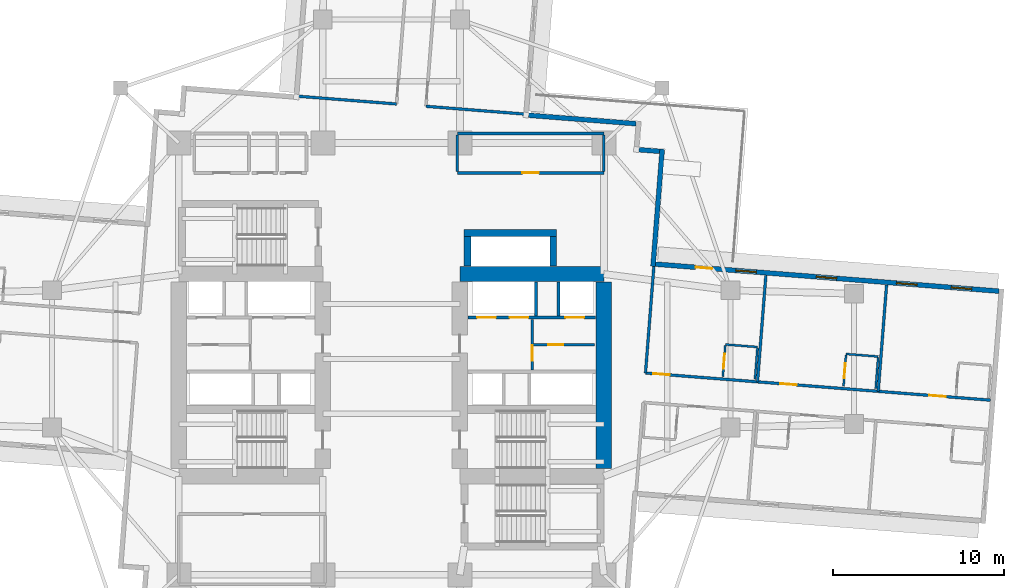
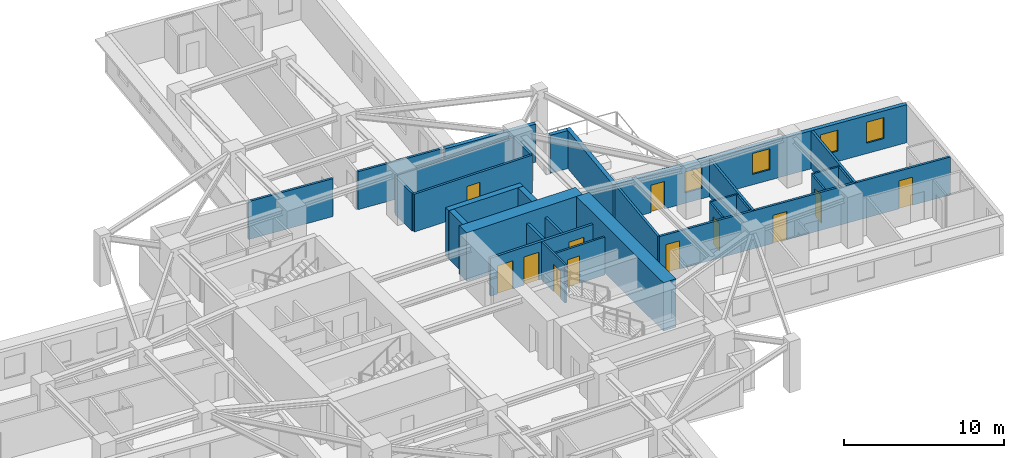
# One storey, part 7 of 14: 30 walls, 12 doors, 4 windows, 16 openings.
"""IFC4 building model written with IfcOpenShell, lengths in metres."""

from ifc_helpers import new_model, si_unit, direction, frame, frame_2d, origin, place, context, subcontext, project, spatial, rectangle, extrude, material, layer, layer_set, type_object, element, fill, save


model = new_model("IFC4")

# Units and contexts
model_context = context("Model", 3, precision=1e-05, world=origin(), true_north=direction((0.0, 1.0)))
body_context = subcontext(model_context, "Body", "Model", "MODEL_VIEW")
ifc_project = project(units=[si_unit("LENGTHUNIT", "METRE"), si_unit("AREAUNIT", "SQUARE_METRE"), si_unit("VOLUMEUNIT", "CUBIC_METRE"), si_unit("PLANEANGLEUNIT", "RADIAN"), si_unit("MASSUNIT", "GRAM", prefix="KILO")], contexts=[model_context])

# Site, building, storey
site_placement = place(None, origin())
site = spatial("IfcSite", under=ifc_project, at=site_placement, CompositionType="ELEMENT")
building_placement = place(site_placement, origin())
building = spatial("IfcBuilding", under=site, at=building_placement, Name="Qingluan Cross Belvedere", CompositionType="ELEMENT")
storey_placement = place(building_placement, frame((0.0, 0.0, 83.39990234375)))
storey = spatial("IfcBuildingStorey", under=building, at=storey_placement, Name="L21", CompositionType="ELEMENT", Elevation=83.39990234375)

# Walls
ifc_material_1 = material(Name="Concrete C50", Category="concrete")
ifc_layer_1 = layer(ifc_material_1, 0.449951171875, Name="CoreShearWall_450")
ifc_layer_set_1 = layer_set([ifc_layer_1], Name="Concrete C50")
wall_type_1 = type_object("IfcWallType", Name="CoreShearWall_450", PredefinedType="SHEAR", material=ifc_layer_set_1)
wall_1_placement = place(storey_placement, frame((4.449951171875, 5.405029296875, 0.0), z_axis=(0.0, 0.0, 1.0), x_axis=(0.0, 1.0, 0.0)))
element("IfcWall", 1, at=wall_1_placement, inside=storey, type_object=wall_type_1, Name="Express shuttle core wall L21-W", PredefinedType="SHEAR", context=body_context, shape_type="SweptSolid", body=[
    extrude(rectangle(XDim=1.73486328125, YDim=0.39990234375, at=frame_2d((0.867431640625, 0.0))), origin(), (0.0, 0.0, 1.0), 3.7001953125),
])
wall_2_placement = place(storey_placement, frame((4.25, 7.35009765625, 0.0), z_axis=(0.0, 0.0, 1.0), x_axis=(1.0, 0.0, 0.0)))
element("IfcWall", 2, at=wall_2_placement, inside=storey, type_object=wall_type_1, Name="Express shuttle core wall L21-N", PredefinedType="SHEAR", context=body_context, shape_type="SweptSolid", body=[
    extrude(rectangle(XDim=5.39990234375, YDim=0.39990234375, at=frame_2d((2.699951171875, 0.0))), origin(), (0.0, 0.0, 1.0), 3.7001953125),
])
wall_3_placement = place(storey_placement, frame((9.449951171875, 5.405029296875, 0.0), z_axis=(0.0, 0.0, 1.0), x_axis=(0.0, 1.0, 0.0)))
element("IfcWall", 3, at=wall_3_placement, inside=storey, type_object=wall_type_1, Name="Express shuttle core wall L21-E", PredefinedType="SHEAR", context=body_context, shape_type="SweptSolid", body=[
    extrude(rectangle(XDim=1.73486328125, YDim=0.39990234375, at=frame_2d((0.867431640625, 0.0))), origin(), (0.0, 0.0, 1.0), 3.7001953125),
])
ifc_material_2 = material(Name="Concrete C70", Category="concrete")
ifc_layer_2 = layer(ifc_material_2, 0.89990234375, Name="CoreShearWall_900")
ifc_layer_set_2 = layer_set([ifc_layer_2], Name="Concrete C70")
wall_type_2 = type_object("IfcWallType", Name="CoreShearWall_900", PredefinedType="SHEAR", material=ifc_layer_set_2)
wall_4_placement = place(storey_placement, frame((4.0, 4.949951171875, 0.0), z_axis=(0.0, 0.0, 1.0), x_axis=(1.0, 0.0, 0.0)))
element("IfcWall", 4, at=wall_4_placement, inside=storey, type_object=wall_type_2, Name="Split core E shear wall L21-N", PredefinedType="SHEAR", context=body_context, shape_type="SweptSolid", body=[
    extrude(rectangle(XDim=8.39990234375, YDim=0.89990234375, at=frame_2d((4.199951171875, 0.0))), origin(), (0.0, 0.0, 1.0), 3.7001953125),
])
wall_5_placement = place(storey_placement, frame((12.39990234375, -6.39501953125, 0.0), z_axis=(0.0, 0.0, 1.0), x_axis=(0.0, 1.0, 0.0)))
element("IfcWall", 5, at=wall_5_placement, inside=storey, type_object=wall_type_2, Name="Split core E shear wall L21-E", PredefinedType="SHEAR", context=body_context, shape_type="SweptSolid", body=[
    extrude(rectangle(XDim=10.89013671875, YDim=0.89990234375, at=frame_2d((5.445068359375, 0.0))), origin(), (0.0, 0.0, 1.0), 3.7001953125),
])

# Wall, opening, door
ifc_material_3 = material(Name="Gypsum plasterboard on steel stud acoustic partition", Category="steel")
ifc_layer_3 = layer(ifc_material_3, 0.159912109375, Name="CorridorPartition_160")
ifc_layer_set_3 = layer_set([ifc_layer_3], Name="Gypsum plasterboard on steel stud acoustic partition")
wall_type_3 = type_object("IfcWallType", Name="CorridorPartition_160", PredefinedType="PARTITIONING", material=ifc_layer_set_3)
wall_6_placement = place(storey_placement, frame((8.298095703125, 0.830078125, 0.0), z_axis=(0.0, 0.0, 1.0), x_axis=(1.0, 0.0, 0.0)))
wall_6 = element("IfcWall", 6, at=wall_6_placement, inside=storey, type_object=wall_type_3, Name="Partition L21:e", PredefinedType="PARTITIONING", context=body_context, shape_type="SweptSolid", body=[
    extrude(rectangle(XDim=3.552001953125, YDim=0.139892578125, at=frame_2d((1.77587890625, 0.0))), origin(), (0.0, 0.0, 1.0), 2.900146484375),
])
opening_1_placement = place(wall_6_placement, frame((0.85009765625, 0.0, 0.0)))
opening_1 = element("IfcOpeningElement", 7, at=opening_1_placement, cuts=wall_6, Name="Opening FD-B10", PredefinedType="OPENING", context=body_context, shape_type="SweptSolid", body=[
    extrude(rectangle(XDim=0.8798828125, YDim=2.10009765625, at=frame_2d((0.43994140625, 1.050048828125))), frame((0.0, 0.079833984375, 0.0), z_axis=(0.0, -1.0, 0.0), x_axis=(1.0, 0.0, 0.0)), (0.0, 0.0, 1.0), 0.159912109375),
])
ifc_material_4 = material(Name="Steel Class B service fire door", Category="steel")
door_type_1 = type_object("IfcDoorType", Name="RiserServiceFireDoor_FDB", OperationType="NOTDEFINED", PredefinedType="DOOR", material=ifc_material_4)
door_1_placement = place(opening_1_placement, origin())
door_1 = element("IfcDoor", 8, at=door_1_placement, inside=storey, type_object=door_type_1, Name="Service closet inner door L21", OperationType="SINGLE_SWING_LEFT", OverallHeight=2.10009765625, OverallWidth=0.8798828125, PredefinedType="DOOR", context=body_context, shape_type="SweptSolid", body=[
    extrude(rectangle(XDim=0.8798828125, YDim=2.10009765625, at=frame_2d((0.43994140625, 1.050048828125))), frame((0.0, 0.02490234375, 0.0), z_axis=(0.0, -1.0, 0.0), x_axis=(1.0, 0.0, 0.0)), (0.0, 0.0, 1.0), 0.050048828125),
])
fill(opening_1, door_1)

wall_7_placement = place(storey_placement, frame((3.85009765625, 10.85009765625, 0.0), z_axis=(0.0, 0.0, 1.0), x_axis=(1.0, 0.0, 0.0)))
wall_7 = element("IfcWall", 9, at=wall_7_placement, inside=storey, type_object=wall_type_3, Name="Partition L21:q_ne:S", PredefinedType="PARTITIONING", context=body_context, shape_type="SweptSolid", body=[
    extrude(rectangle(XDim=8.5498046875, YDim=0.159912109375, at=frame_2d((4.27490234375, 0.0))), origin(), (0.0, 0.0, 1.0), 2.900146484375),
])
opening_2_placement = place(wall_7_placement, frame((3.794921875, 0.0, 0.0)))
opening_2 = element("IfcOpeningElement", 10, at=opening_2_placement, cuts=wall_7, Name="Opening GD-10", PredefinedType="OPENING", context=body_context, shape_type="SweptSolid", body=[
    extrude(rectangle(XDim=0.9599609375, YDim=2.14990234375, at=frame_2d((0.47998046875, 1.074951171875))), frame((0.0, 0.08984375, 0.0), z_axis=(0.0, -1.0, 0.0), x_axis=(1.0, 0.0, 0.0)), (0.0, 0.0, 1.0), 0.179931640625),
])
ifc_material_5 = material(Name="Timber oak fire-rated acoustic guestroom door", Category="wood")
door_type_2 = type_object("IfcDoorType", Name="GuestEntryDoor_FD60", OperationType="NOTDEFINED", PredefinedType="DOOR", material=ifc_material_5)
door_2_placement = place(opening_2_placement, origin())
door_2 = element("IfcDoor", 11, at=door_2_placement, inside=storey, type_object=door_type_2, Name="Cantonese tea lounge L21 door", OperationType="SINGLE_SWING_LEFT", OverallHeight=2.14990234375, OverallWidth=0.9599609375, PredefinedType="DOOR", context=body_context, shape_type="SweptSolid", body=[
    extrude(rectangle(XDim=0.9599609375, YDim=2.14990234375, at=frame_2d((0.47998046875, 1.074951171875))), frame((0.0, 0.02490234375, 0.0), z_axis=(0.0, -1.0, 0.0), x_axis=(1.0, 0.0, 0.0)), (0.0, 0.0, 1.0), 0.050048828125),
])
fill(opening_2, door_2)

# Walls
wall_8_placement = place(storey_placement, frame((3.85009765625, 13.14990234375, 0.0), z_axis=(0.0, 0.0, 1.0), x_axis=(1.0, 0.0, 0.0)))
element("IfcWall", 12, at=wall_8_placement, inside=storey, type_object=wall_type_3, Name="Partition L21:q_ne:N", PredefinedType="PARTITIONING", context=body_context, shape_type="SweptSolid", body=[
    extrude(rectangle(XDim=8.5498046875, YDim=0.159912109375, at=frame_2d((4.27490234375, 0.0))), origin(), (0.0, 0.0, 1.0), 2.900146484375),
])
for number, where, z_axis, x_axis, name in (
    (13, (3.85009765625, 10.93505859375, 0.0), (0.0, 0.0, 1.0), (0.0, 1.0, 0.0), "Partition L21:q_ne:W"),
    (14, (12.39990234375, 10.93505859375, 0.0), (0.0, 0.0, 1.0), (0.0, 1.0, 0.0), "Partition L21:q_ne:E"),
):
    element("IfcWall", number, at=place(storey_placement, frame(where, z_axis=z_axis, x_axis=x_axis)), inside=storey, type_object=wall_type_3, Name=name, PredefinedType="PARTITIONING", context=body_context, shape_type="SweptSolid", body=[
        extrude(rectangle(XDim=2.1298828125, YDim=0.159912109375, at=frame_2d((1.06494140625, 0.0))), origin(), (0.0, 0.0, 1.0), 2.900146484375),
    ])

# Wall, openings, doors
wall_9_placement = place(storey_placement, frame((14.830810546875, -0.826171875, 0.0), z_axis=(0.0, 0.0, 1.0), x_axis=(0.996917226209, -0.078460461943, 0.0)))
wall_9 = element("IfcWall", 15, at=wall_9_placement, inside=storey, type_object=wall_type_3, Name="Partition L21:E:c0", PredefinedType="PARTITIONING", context=body_context, shape_type="SweptSolid", body=[
    extrude(rectangle(XDim=20.18212890625, YDim=0.159912109375, at=frame_2d((10.091064453125, 0.0))), origin(), (0.0, 0.0, 1.0), 2.900146484375),
])
opening_3_placement = place(wall_9_placement, frame((0.449951171875, 0.0, 0.0)))
opening_3 = element("IfcOpeningElement", 16, at=opening_3_placement, cuts=wall_9, Name="Opening GD-10", PredefinedType="OPENING", context=body_context, shape_type="SweptSolid", body=[
    extrude(rectangle(XDim=0.9599609375, YDim=2.14990234375, at=frame_2d((0.47998046875, 1.074951171875))), frame((0.0, 0.08984375, 0.0), z_axis=(0.0, -1.0, 0.0), x_axis=(1.0, 0.0, 0.0)), (0.0, 0.0, 1.0), 0.179931640625),
])
opening_4_placement = place(wall_9_placement, frame((7.89599609375, 0.0, 0.0)))
opening_4 = element("IfcOpeningElement", 17, at=opening_4_placement, cuts=wall_9, Name="Opening GD-10", PredefinedType="OPENING", context=body_context, shape_type="SweptSolid", body=[
    extrude(rectangle(XDim=0.9599609375, YDim=2.14990234375, at=frame_2d((0.47998046875, 1.074951171875))), frame((0.0, 0.08984375, 0.0), z_axis=(0.0, -1.0, 0.0), x_axis=(1.0, 0.0, 0.0)), (0.0, 0.0, 1.0), 0.179931640625),
])
opening_5_placement = place(wall_9_placement, frame((16.611083984375, 0.0, 0.0)))
opening_5 = element("IfcOpeningElement", 18, at=opening_5_placement, cuts=wall_9, Name="Opening GD-10", PredefinedType="OPENING", context=body_context, shape_type="SweptSolid", body=[
    extrude(rectangle(XDim=0.9599609375, YDim=2.14990234375, at=frame_2d((0.47998046875, 1.074951171875))), frame((0.0, 0.08984375, 0.0), z_axis=(0.0, -1.0, 0.0), x_axis=(1.0, 0.0, 0.0)), (0.0, 0.0, 1.0), 0.179931640625),
])
door_3_placement = place(opening_3_placement, origin())
door_3 = element("IfcDoor", 19, at=door_3_placement, inside=storey, type_object=door_type_2, Name="Guest entry fire door 2101", OperationType="SINGLE_SWING_LEFT", OverallHeight=2.14990234375, OverallWidth=0.9599609375, PredefinedType="DOOR", context=body_context, shape_type="SweptSolid", body=[
    extrude(rectangle(XDim=0.9599609375, YDim=2.14990234375, at=frame_2d((0.47998046875, 1.074951171875))), frame((0.0, 0.02490234375, 0.0), z_axis=(0.0, -1.0, 0.0), x_axis=(1.0, 0.0, 0.0)), (0.0, 0.0, 1.0), 0.050048828125),
])
fill(opening_3, door_3)
door_4_placement = place(opening_4_placement, origin())
door_4 = element("IfcDoor", 20, at=door_4_placement, inside=storey, type_object=door_type_2, Name="Guest entry fire door 2102", OperationType="SINGLE_SWING_LEFT", OverallHeight=2.14990234375, OverallWidth=0.9599609375, PredefinedType="DOOR", context=body_context, shape_type="SweptSolid", body=[
    extrude(rectangle(XDim=0.9599609375, YDim=2.14990234375, at=frame_2d((0.47998046875, 1.074951171875))), frame((0.0, 0.02490234375, 0.0), z_axis=(0.0, -1.0, 0.0), x_axis=(1.0, 0.0, 0.0)), (0.0, 0.0, 1.0), 0.050048828125),
])
fill(opening_4, door_4)
door_5_placement = place(opening_5_placement, origin())
door_5 = element("IfcDoor", 21, at=door_5_placement, inside=storey, type_object=door_type_2, Name="Guest entry fire door 2103", OperationType="SINGLE_SWING_LEFT", OverallHeight=2.14990234375, OverallWidth=0.9599609375, PredefinedType="DOOR", context=body_context, shape_type="SweptSolid", body=[
    extrude(rectangle(XDim=0.9599609375, YDim=2.14990234375, at=frame_2d((0.47998046875, 1.074951171875))), frame((0.0, 0.02490234375, 0.0), z_axis=(0.0, -1.0, 0.0), x_axis=(1.0, 0.0, 0.0)), (0.0, 0.0, 1.0), 0.050048828125),
])
fill(opening_5, door_5)

# Walls
for number, where, z_axis, x_axis, name in (
    (22, (14.830810546875, -0.826171875, 0.0), (0.0, 0.0, 1.0), (0.07846684212, 0.996916724049, 0.0), "Partition L21:E:s0"),
    (23, (21.36669921875, -1.340576171875, 0.0), (0.0, 0.0, 1.0), (0.07846684212, 0.996916724049, 0.0), "Partition L21:E:d0_0"),
    (24, (28.409912109375, -1.89501953125, 0.0), (0.0, 0.0, 1.0), (0.07846684212, 0.996916724049, 0.0), "Partition L21:E:d0_1"),
):
    element("IfcWall", number, at=place(storey_placement, frame(where, z_axis=z_axis, x_axis=x_axis)), inside=storey, type_object=wall_type_3, Name=name, PredefinedType="PARTITIONING", context=body_context, shape_type="SweptSolid", body=[
        extrude(rectangle(XDim=6.232177734375, YDim=0.159912109375, at=frame_2d((3.1162109375, 0.0))), origin(), (0.0, 0.0, 1.0), 2.900146484375),
    ])
for number, where, z_axis, x_axis, name in (
    (25, (2.0224609375, 14.73681640625, 0.0), (0.0, 0.0, 1.0), (0.996918158581, -0.078448614343, 0.0), "Partition L21:N:s0"),
    (26, (0.307861328125, 14.87158203125, 0.0), (0.0, 0.0, 1.0), (-0.996914899516, 0.078490019252, 0.0), "Partition L21:N:s1"),
):
    element("IfcWall", number, at=place(storey_placement, frame(where, z_axis=z_axis, x_axis=x_axis)), inside=storey, type_object=wall_type_3, Name=name, PredefinedType="PARTITIONING", context=body_context, shape_type="SweptSolid", body=[
        extrude(rectangle(XDim=5.860107421875, YDim=0.159912109375, at=frame_2d((2.93017578125, 0.0))), origin(), (0.0, 0.0, 1.0), 2.900146484375),
    ])

# Wall, opening, door
ifc_material_6 = material(Name="Moisture-resistant gypsum board lining")
ifc_layer_4 = layer(ifc_material_6, 0.1201171875, Name="EnsuiteWetPartition_120")
ifc_layer_set_4 = layer_set([ifc_layer_4], Name="Moisture-resistant gypsum board lining")
wall_type_4 = type_object("IfcWallType", Name="EnsuiteWetPartition_120", PredefinedType="PARTITIONING", material=ifc_layer_set_4)
wall_10_placement = place(storey_placement, frame((19.343994140625, -1.041015625, 0.0), z_axis=(0.0, 0.0, 1.0), x_axis=(0.0784709492, 0.996916400774, 0.0)))
wall_10 = element("IfcWall", 27, at=wall_10_placement, inside=storey, type_object=wall_type_4, Name="Partition L21:E:bs0_0", PredefinedType="PARTITIONING", context=body_context, shape_type="SweptSolid", body=[
    extrude(rectangle(XDim=1.820068359375, YDim=0.1201171875, at=frame_2d((0.91015625, 0.0))), origin(), (0.0, 0.0, 1.0), 2.900146484375),
])
opening_6_placement = place(wall_10_placement, frame((0.469970703125, 0.0, 0.0)))
opening_6 = element("IfcOpeningElement", 28, at=opening_6_placement, cuts=wall_10, Name="Opening BD-09", PredefinedType="OPENING", context=body_context, shape_type="SweptSolid", body=[
    extrude(rectangle(XDim=0.8798828125, YDim=2.10009765625, at=frame_2d((0.43994140625, 1.050048828125))), frame((0.0, 0.070068359375, 0.0), z_axis=(0.0, -1.0, 0.0), x_axis=(1.0, 0.0, 0.0)), (0.0, 0.0, 1.0), 0.14013671875),
])
ifc_material_7 = material(Name="Moisture-sealed timber en-suite door", Category="wood")
door_type_3 = type_object("IfcDoorType", Name="BathroomDoor_880", OperationType="NOTDEFINED", PredefinedType="DOOR", material=ifc_material_7)
door_6_placement = place(opening_6_placement, origin())
door_6 = element("IfcDoor", 29, at=door_6_placement, inside=storey, type_object=door_type_3, Name="Bathroom door 2101", OperationType="SINGLE_SWING_RIGHT", OverallHeight=2.10009765625, OverallWidth=0.8798828125, PredefinedType="DOOR", context=body_context, shape_type="SweptSolid", body=[
    extrude(rectangle(XDim=0.8798828125, YDim=2.10009765625, at=frame_2d((0.43994140625, 1.050048828125))), frame((0.0, 0.02490234375, 0.0), z_axis=(0.0, -1.0, 0.0), x_axis=(1.0, 0.0, 0.0)), (0.0, 0.0, 1.0), 0.050048828125),
])
fill(opening_6, door_6)

# Walls
wall_11_placement = place(storey_placement, frame((21.21826171875, -1.1884765625, 0.0), z_axis=(0.0, 0.0, 1.0), x_axis=(0.0784709492, 0.996916400774, 0.0)))
element("IfcWall", 30, at=wall_11_placement, inside=storey, type_object=wall_type_4, Name="Partition L21:E:bw0_0", PredefinedType="PARTITIONING", context=body_context, shape_type="SweptSolid", body=[
    extrude(rectangle(XDim=1.820068359375, YDim=0.1201171875, at=frame_2d((0.91015625, 0.0))), origin(), (0.0, 0.0, 1.0), 2.900146484375),
])
wall_12_placement = place(storey_placement, frame((19.491943359375, 0.83837890625, 0.0), z_axis=(0.0, 0.0, 1.0), x_axis=(0.996919293781, -0.07843418698, 0.0)))
element("IfcWall", 31, at=wall_12_placement, inside=storey, type_object=wall_type_4, Name="Partition L21:E:bn0_0", PredefinedType="PARTITIONING", context=body_context, shape_type="SweptSolid", body=[
    extrude(rectangle(XDim=1.880126953125, YDim=0.1201171875, at=frame_2d((0.93994140625, 0.0))), origin(), (0.0, 0.0, 1.0), 2.900146484375),
])

# Wall, opening, door
wall_13_placement = place(storey_placement, frame((26.38720703125, -1.59521484375, 0.0), z_axis=(0.0, 0.0, 1.0), x_axis=(0.0784709492, 0.996916400774, 0.0)))
wall_13 = element("IfcWall", 32, at=wall_13_placement, inside=storey, type_object=wall_type_4, Name="Partition L21:E:bs0_1", PredefinedType="PARTITIONING", context=body_context, shape_type="SweptSolid", body=[
    extrude(rectangle(XDim=1.820068359375, YDim=0.1201171875, at=frame_2d((0.91015625, 0.0))), origin(), (0.0, 0.0, 1.0), 2.900146484375),
])
opening_7_placement = place(wall_13_placement, frame((0.469970703125, 0.0, 0.0)))
opening_7 = element("IfcOpeningElement", 33, at=opening_7_placement, cuts=wall_13, Name="Opening BD-09", PredefinedType="OPENING", context=body_context, shape_type="SweptSolid", body=[
    extrude(rectangle(XDim=0.8798828125, YDim=2.10009765625, at=frame_2d((0.43994140625, 1.050048828125))), frame((0.0, 0.070068359375, 0.0), z_axis=(0.0, -1.0, 0.0), x_axis=(1.0, 0.0, 0.0)), (0.0, 0.0, 1.0), 0.14013671875),
])
door_7_placement = place(opening_7_placement, origin())
door_7 = element("IfcDoor", 34, at=door_7_placement, inside=storey, type_object=door_type_3, Name="Bathroom door 2102", OperationType="SINGLE_SWING_RIGHT", OverallHeight=2.10009765625, OverallWidth=0.8798828125, PredefinedType="DOOR", context=body_context, shape_type="SweptSolid", body=[
    extrude(rectangle(XDim=0.8798828125, YDim=2.10009765625, at=frame_2d((0.43994140625, 1.050048828125))), frame((0.0, 0.02490234375, 0.0), z_axis=(0.0, -1.0, 0.0), x_axis=(1.0, 0.0, 0.0)), (0.0, 0.0, 1.0), 0.050048828125),
])
fill(opening_7, door_7)

# Walls
wall_14_placement = place(storey_placement, frame((28.261474609375, -1.74267578125, 0.0), z_axis=(0.0, 0.0, 1.0), x_axis=(0.0784709492, 0.996916400774, 0.0)))
element("IfcWall", 35, at=wall_14_placement, inside=storey, type_object=wall_type_4, Name="Partition L21:E:bw0_1", PredefinedType="PARTITIONING", context=body_context, shape_type="SweptSolid", body=[
    extrude(rectangle(XDim=1.820068359375, YDim=0.1201171875, at=frame_2d((0.91015625, 0.0))), origin(), (0.0, 0.0, 1.0), 2.900146484375),
])
wall_15_placement = place(storey_placement, frame((26.53515625, 0.283935546875, 0.0), z_axis=(0.0, 0.0, 1.0), x_axis=(0.99691849475, -0.078444342213, 0.0)))
element("IfcWall", 36, at=wall_15_placement, inside=storey, type_object=wall_type_4, Name="Partition L21:E:bn0_1", PredefinedType="PARTITIONING", context=body_context, shape_type="SweptSolid", body=[
    extrude(rectangle(XDim=1.8798828125, YDim=0.1201171875, at=frame_2d((0.93994140625, 0.0))), origin(), (0.0, 0.0, 1.0), 2.900146484375),
])

# Wall, openings, windows, door
ifc_material_8 = material(Name="Precast concrete C45", Category="concrete")
ifc_layer_5 = layer(ifc_material_8, 0.280029296875, Name="PrecastFacadeWall_280")
ifc_layer_set_5 = layer_set([ifc_layer_5], Name="Precast concrete C45")
wall_type_5 = type_object("IfcWallType", Name="PrecastFacadeWall_280", PredefinedType="STANDARD", material=ifc_layer_set_5)
wall_16_placement = place(storey_placement, frame((35.459228515625, 3.9501953125, 0.0), z_axis=(0.0, 0.0, 1.0), x_axis=(-0.996917828963, 0.078452802979, 0.0)))
wall_16 = element("IfcWall", 37, at=wall_16_placement, inside=storey, type_object=wall_type_5, Name="Facade wall L21-EB", PredefinedType="STANDARD", context=body_context, shape_type="SweptSolid", body=[
    extrude(rectangle(XDim=20.10009765625, YDim=0.280029296875, at=frame_2d((10.050048828125, 0.0))), origin(), (0.0, 0.0, 1.0), 2.91015625),
])
opening_8_placement = place(wall_16_placement, frame((1.60009765625, 0.0, 0.800048828125)))
opening_8 = element("IfcOpeningElement", 38, at=opening_8_placement, cuts=wall_16, Name="Opening W-02", PredefinedType="OPENING", context=body_context, shape_type="SweptSolid", body=[
    extrude(rectangle(XDim=1.199951171875, YDim=1.60009765625, at=frame_2d((0.60009765625, 0.800048828125))), frame((0.0, 0.14990234375, 0.0), z_axis=(0.0, -1.0, 0.0), x_axis=(1.0, 0.0, 0.0)), (0.0, 0.0, 1.0), 0.300048828125),
])
opening_9_placement = place(wall_16_placement, frame((4.800048828125, 0.0, 0.800048828125)))
opening_9 = element("IfcOpeningElement", 39, at=opening_9_placement, cuts=wall_16, Name="Opening W-02", PredefinedType="OPENING", context=body_context, shape_type="SweptSolid", body=[
    extrude(rectangle(XDim=1.199951171875, YDim=1.60009765625, at=frame_2d((0.60009765625, 0.800048828125))), frame((0.0, 0.14990234375, 0.0), z_axis=(0.0, -1.0, 0.0), x_axis=(1.0, 0.0, 0.0)), (0.0, 0.0, 1.0), 0.300048828125),
])
opening_10_placement = place(wall_16_placement, frame((9.5, 0.0, 0.800048828125)))
opening_10 = element("IfcOpeningElement", 40, at=opening_10_placement, cuts=wall_16, Name="Opening W-02", PredefinedType="OPENING", context=body_context, shape_type="SweptSolid", body=[
    extrude(rectangle(XDim=1.199951171875, YDim=1.60009765625, at=frame_2d((0.60009765625, 0.800048828125))), frame((0.0, 0.14990234375, 0.0), z_axis=(0.0, -1.0, 0.0), x_axis=(1.0, 0.0, 0.0)), (0.0, 0.0, 1.0), 0.300048828125),
])
opening_11_placement = place(wall_16_placement, frame((14.199951171875, 0.0, 0.800048828125)))
opening_11 = element("IfcOpeningElement", 41, at=opening_11_placement, cuts=wall_16, Name="Opening W-02", PredefinedType="OPENING", context=body_context, shape_type="SweptSolid", body=[
    extrude(rectangle(XDim=1.199951171875, YDim=1.60009765625, at=frame_2d((0.60009765625, 0.800048828125))), frame((0.0, 0.14990234375, 0.0), z_axis=(0.0, -1.0, 0.0), x_axis=(1.0, 0.0, 0.0)), (0.0, 0.0, 1.0), 0.300048828125),
])
opening_12_placement = place(wall_16_placement, frame((16.800048828125, 0.0, 0.0)))
opening_12 = element("IfcOpeningElement", 42, at=opening_12_placement, cuts=wall_16, Name="Opening WD-10", PredefinedType="OPENING", context=body_context, shape_type="SweptSolid", body=[
    extrude(rectangle(XDim=0.9599609375, YDim=2.10009765625, at=frame_2d((0.47998046875, 1.050048828125))), frame((0.0, 0.14990234375, 0.0), z_axis=(0.0, -1.0, 0.0), x_axis=(1.0, 0.0, 0.0)), (0.0, 0.0, 1.0), 0.300048828125),
])
ifc_material_9 = material(Name="Thermally broken triple Low-E glass in aluminium frame", Category="aluminium")
window_type = type_object("IfcWindowType", Name="TriRibbonWin_1200x1600", PartitioningType="SINGLE_PANEL", PredefinedType="WINDOW", material=ifc_material_9)
window_1_placement = place(opening_8_placement, origin())
window_1 = element("IfcWindow", 43, at=window_1_placement, inside=storey, type_object=window_type, Name="Ribbon window L21-EB-1", OverallHeight=1.60009765625, OverallWidth=1.199951171875, PartitioningType="SINGLE_PANEL", PredefinedType="WINDOW", context=body_context, shape_type="SweptSolid", body=[
    extrude(rectangle(XDim=1.199951171875, YDim=1.60009765625, at=frame_2d((0.60009765625, 0.800048828125))), frame((0.0, 0.030029296875, 0.0), z_axis=(0.0, -1.0, 0.0), x_axis=(1.0, 0.0, 0.0)), (0.0, 0.0, 1.0), 0.06005859375),
])
fill(opening_8, window_1)
window_2_placement = place(opening_9_placement, origin())
window_2 = element("IfcWindow", 44, at=window_2_placement, inside=storey, type_object=window_type, Name="Ribbon window L21-EB-2", OverallHeight=1.60009765625, OverallWidth=1.199951171875, PartitioningType="SINGLE_PANEL", PredefinedType="WINDOW", context=body_context, shape_type="SweptSolid", body=[
    extrude(rectangle(XDim=1.199951171875, YDim=1.60009765625, at=frame_2d((0.60009765625, 0.800048828125))), frame((0.0, 0.030029296875, 0.0), z_axis=(0.0, -1.0, 0.0), x_axis=(1.0, 0.0, 0.0)), (0.0, 0.0, 1.0), 0.06005859375),
])
fill(opening_9, window_2)
window_3_placement = place(opening_10_placement, origin())
window_3 = element("IfcWindow", 45, at=window_3_placement, inside=storey, type_object=window_type, Name="Ribbon window L21-EB-3", OverallHeight=1.60009765625, OverallWidth=1.199951171875, PartitioningType="SINGLE_PANEL", PredefinedType="WINDOW", context=body_context, shape_type="SweptSolid", body=[
    extrude(rectangle(XDim=1.199951171875, YDim=1.60009765625, at=frame_2d((0.60009765625, 0.800048828125))), frame((0.0, 0.030029296875, 0.0), z_axis=(0.0, -1.0, 0.0), x_axis=(1.0, 0.0, 0.0)), (0.0, 0.0, 1.0), 0.06005859375),
])
fill(opening_10, window_3)
window_4_placement = place(opening_11_placement, origin())
window_4 = element("IfcWindow", 46, at=window_4_placement, inside=storey, type_object=window_type, Name="Ribbon window L21-EB-4", OverallHeight=1.60009765625, OverallWidth=1.199951171875, PartitioningType="SINGLE_PANEL", PredefinedType="WINDOW", context=body_context, shape_type="SweptSolid", body=[
    extrude(rectangle(XDim=1.199951171875, YDim=1.60009765625, at=frame_2d((0.60009765625, 0.800048828125))), frame((0.0, 0.030029296875, 0.0), z_axis=(0.0, -1.0, 0.0), x_axis=(1.0, 0.0, 0.0)), (0.0, 0.0, 1.0), 0.06005859375),
])
fill(opening_11, window_4)
ifc_material_10 = material(Name="Thermally broken aluminium and Low-E glass", Category="aluminium")
door_type_4 = type_object("IfcDoorType", Name="WinterGardenDoor_096", OperationType="NOTDEFINED", PredefinedType="DOOR", material=ifc_material_10)
door_8_placement = place(opening_12_placement, origin())
door_8 = element("IfcDoor", 47, at=door_8_placement, inside=storey, type_object=door_type_4, Name="Outdoor terrace access door L21-spi", OperationType="SINGLE_SWING_LEFT", OverallHeight=2.10009765625, OverallWidth=0.9599609375, PredefinedType="DOOR", context=body_context, shape_type="SweptSolid", body=[
    extrude(rectangle(XDim=0.9599609375, YDim=2.10009765625, at=frame_2d((0.47998046875, 1.050048828125))), frame((0.0, 0.02490234375, 0.0), z_axis=(0.0, -1.0, 0.0), x_axis=(1.0, 0.0, 0.0)), (0.0, 0.0, 1.0), 0.050048828125),
])
fill(opening_12, door_8)

# Walls
wall_17_placement = place(storey_placement, frame((15.2705078125, 5.3984375, 0.0), z_axis=(0.0, 0.0, 1.0), x_axis=(0.078473519122, 0.996916198482, 0.0)))
element("IfcWall", 48, at=wall_17_placement, inside=storey, type_object=wall_type_5, Name="Corner wall L21-NE1", PredefinedType="STANDARD", context=body_context, shape_type="SweptSolid", body=[
    extrude(rectangle(XDim=6.860107421875, YDim=0.280029296875, at=frame_2d((3.43017578125, 0.0))), origin(), (0.0, 0.0, 1.0), 2.91015625),
])
wall_18_placement = place(storey_placement, frame((15.658203125, 12.10888671875, 0.0), z_axis=(0.0, 0.0, 1.0), x_axis=(-0.996917540398, 0.078456469752, 0.0)))
element("IfcWall", 49, at=wall_18_placement, inside=storey, type_object=wall_type_5, Name="Corner wall L21-NE2", PredefinedType="STANDARD", context=body_context, shape_type="SweptSolid", body=[
    extrude(rectangle(XDim=1.2197265625, YDim=0.280029296875, at=frame_2d((0.60986328125, 0.0))), origin(), (0.0, 0.0, 1.0), 2.91015625),
])
wall_19_placement = place(storey_placement, frame((14.280517578125, 13.721923828125, 0.0), z_axis=(0.0, 0.0, 1.0), x_axis=(-0.99691915642, 0.078435932851, 0.0)))
element("IfcWall", 50, at=wall_19_placement, inside=storey, type_object=wall_type_5, Name="Corner wall L21-NE4", PredefinedType="STANDARD", context=body_context, shape_type="SweptSolid", body=[
    extrude(rectangle(XDim=6.2998046875, YDim=0.280029296875, at=frame_2d((3.14990234375, 0.0))), origin(), (0.0, 0.0, 1.0), 2.91015625),
])

# Wall, openings, doors
ifc_material_11 = material(Name="Concrete C40", Category="concrete")
ifc_layer_6 = layer(ifc_material_11, 0.219970703125, Name="ShaftEnclosureWall_250")
ifc_layer_set_6 = layer_set([ifc_layer_6], Name="Concrete C40")
wall_type_6 = type_object("IfcWallType", Name="ShaftEnclosureWall_250", PredefinedType="SOLIDWALL", material=ifc_layer_set_6)
wall_20_placement = place(storey_placement, frame((4.47998046875, 2.409912109375, 0.0), z_axis=(0.0, 0.0, 1.0), x_axis=(1.0, 0.0, 0.0)))
wall_20 = element("IfcWall", 51, at=wall_20_placement, inside=storey, type_object=wall_type_6, Name="Core-E north hoistway wall L21", PredefinedType="SOLIDWALL", context=body_context, shape_type="SweptSolid", body=[
    extrude(rectangle(XDim=7.419921875, YDim=0.179931640625, at=frame_2d((3.7099609375, 0.0))), origin(), (0.0, 0.0, 1.0), 2.900146484375),
])
opening_13_placement = place(wall_20_placement, frame((5.669921875, 0.0, 0.0)))
opening_13 = element("IfcOpeningElement", 52, at=opening_13_placement, cuts=wall_20, Name="Opening LD-11", PredefinedType="OPENING", context=body_context, shape_type="SweptSolid", body=[
    extrude(rectangle(XDim=1.10009765625, YDim=2.14990234375, at=frame_2d((0.550048828125, 1.074951171875))), frame((0.0, 0.099853515625, 0.0), z_axis=(0.0, -1.0, 0.0), x_axis=(1.0, 0.0, 0.0)), (0.0, 0.0, 1.0), 0.199951171875),
])
opening_14_placement = place(wall_20_placement, frame((0.52001953125, 0.0, 0.0)))
opening_14 = element("IfcOpeningElement", 53, at=opening_14_placement, cuts=wall_20, Name="Opening LD-11", PredefinedType="OPENING", context=body_context, shape_type="SweptSolid", body=[
    extrude(rectangle(XDim=1.10009765625, YDim=2.14990234375, at=frame_2d((0.550048828125, 1.074951171875))), frame((0.0, 0.099853515625, 0.0), z_axis=(0.0, -1.0, 0.0), x_axis=(1.0, 0.0, 0.0)), (0.0, 0.0, 1.0), 0.199951171875),
])
opening_15_placement = place(wall_20_placement, frame((2.419921875, 0.0, 0.0)))
opening_15 = element("IfcOpeningElement", 54, at=opening_15_placement, cuts=wall_20, Name="Opening LD-11", PredefinedType="OPENING", context=body_context, shape_type="SweptSolid", body=[
    extrude(rectangle(XDim=1.10009765625, YDim=2.14990234375, at=frame_2d((0.550048828125, 1.074951171875))), frame((0.0, 0.099853515625, 0.0), z_axis=(0.0, -1.0, 0.0), x_axis=(1.0, 0.0, 0.0)), (0.0, 0.0, 1.0), 0.199951171875),
])
ifc_material_12 = material(Name="Brushed stainless steel centre-opening lift landing door", Category="steel")
door_type_5 = type_object("IfcDoorType", Name="LiftLandingSlidingDoor_1100", OperationType="DOUBLE_DOOR_SLIDING", PredefinedType="DOOR", material=ifc_material_12)
door_9_placement = place(opening_13_placement, origin())
door_9 = element("IfcDoor", 55, at=door_9_placement, inside=storey, type_object=door_type_5, Name="Lift landing sliding door FL2 L21", OperationType="DOUBLE_DOOR_SLIDING", OverallHeight=2.14990234375, OverallWidth=1.10009765625, PredefinedType="DOOR", context=body_context, shape_type="SweptSolid", body=[
    extrude(rectangle(XDim=1.10009765625, YDim=2.14990234375, at=frame_2d((0.550048828125, 1.074951171875))), frame((0.0, 0.02490234375, 0.0), z_axis=(0.0, -1.0, 0.0), x_axis=(1.0, 0.0, 0.0)), (0.0, 0.0, 1.0), 0.050048828125),
])
fill(opening_13, door_9)
door_10_placement = place(opening_14_placement, origin())
door_10 = element("IfcDoor", 56, at=door_10_placement, inside=storey, type_object=door_type_5, Name="Lift landing sliding door LP3 L21", OperationType="DOUBLE_DOOR_SLIDING", OverallHeight=2.14990234375, OverallWidth=1.10009765625, PredefinedType="DOOR", context=body_context, shape_type="SweptSolid", body=[
    extrude(rectangle(XDim=1.10009765625, YDim=2.14990234375, at=frame_2d((0.550048828125, 1.074951171875))), frame((0.0, 0.02490234375, 0.0), z_axis=(0.0, -1.0, 0.0), x_axis=(1.0, 0.0, 0.0)), (0.0, 0.0, 1.0), 0.050048828125),
])
fill(opening_14, door_10)
door_11_placement = place(opening_15_placement, origin())
door_11 = element("IfcDoor", 57, at=door_11_placement, inside=storey, type_object=door_type_5, Name="Lift landing sliding door LP4 L21", OperationType="DOUBLE_DOOR_SLIDING", OverallHeight=2.14990234375, OverallWidth=1.10009765625, PredefinedType="DOOR", context=body_context, shape_type="SweptSolid", body=[
    extrude(rectangle(XDim=1.10009765625, YDim=2.14990234375, at=frame_2d((0.550048828125, 1.074951171875))), frame((0.0, 0.02490234375, 0.0), z_axis=(0.0, -1.0, 0.0), x_axis=(1.0, 0.0, 0.0)), (0.0, 0.0, 1.0), 0.050048828125),
])
fill(opening_15, door_11)

# Walls
for number, where, z_axis, x_axis, name in (
    (58, (8.43994140625, 2.5, 0.0), (0.0, 0.0, 1.0), (0.0, 1.0, 0.0), "Hoistway enclosure divider LP4E L21"),
    (59, (9.760009765625, 2.5, 0.0), (0.0, 0.0, 1.0), (0.0, 1.0, 0.0), "Hoistway enclosure divider FL2W L21"),
):
    element("IfcWall", number, at=place(storey_placement, frame(where, z_axis=z_axis, x_axis=x_axis)), inside=storey, type_object=wall_type_6, Name=name, PredefinedType="SOLIDWALL", context=body_context, shape_type="SweptSolid", body=[
        extrude(rectangle(XDim=1.989990234375, YDim=0.179931640625, at=frame_2d((0.9951171875, 0.0))), origin(), (0.0, 0.0, 1.0), 2.900146484375),
    ])

# Wall, opening, door
wall_21_placement = place(storey_placement, frame((8.219970703125, -0.64990234375, 0.0), z_axis=(0.0, 0.0, 1.0), x_axis=(0.0, 1.0, 0.0)))
wall_21 = element("IfcWall", 60, at=wall_21_placement, inside=storey, type_object=wall_type_6, Name="Core-E service corridor wall L21", PredefinedType="SOLIDWALL", context=body_context, shape_type="SweptSolid", body=[
    extrude(rectangle(XDim=2.9599609375, YDim=0.139892578125, at=frame_2d((1.47998046875, 0.0))), origin(), (0.0, 0.0, 1.0), 2.900146484375),
])
opening_16_placement = place(wall_21_placement, frame((0.550048828125, 0.0, 0.0)))
opening_16 = element("IfcOpeningElement", 61, at=opening_16_placement, cuts=wall_21, Name="Opening FD-B10", PredefinedType="OPENING", context=body_context, shape_type="SweptSolid", body=[
    extrude(rectangle(XDim=0.8798828125, YDim=2.10009765625, at=frame_2d((0.43994140625, 1.050048828125))), frame((0.0, 0.079833984375, 0.0), z_axis=(0.0, -1.0, 0.0), x_axis=(1.0, 0.0, 0.0)), (0.0, 0.0, 1.0), 0.159912109375),
])
door_12_placement = place(opening_16_placement, origin())
door_12 = element("IfcDoor", 62, at=door_12_placement, inside=storey, type_object=door_type_1, Name="Core-E service room door L21", OperationType="SINGLE_SWING_LEFT", OverallHeight=2.10009765625, OverallWidth=0.8798828125, PredefinedType="DOOR", context=body_context, shape_type="SweptSolid", body=[
    extrude(rectangle(XDim=0.8798828125, YDim=2.10009765625, at=frame_2d((0.43994140625, 1.050048828125))), frame((0.0, 0.02490234375, 0.0), z_axis=(0.0, -1.0, 0.0), x_axis=(1.0, 0.0, 0.0)), (0.0, 0.0, 1.0), 0.050048828125),
])
fill(opening_16, door_12)

save(model, "model.ifc")
